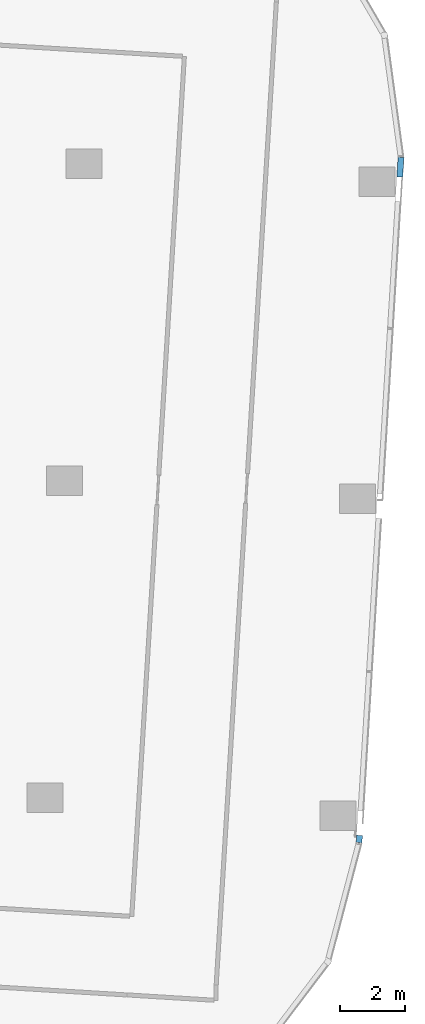
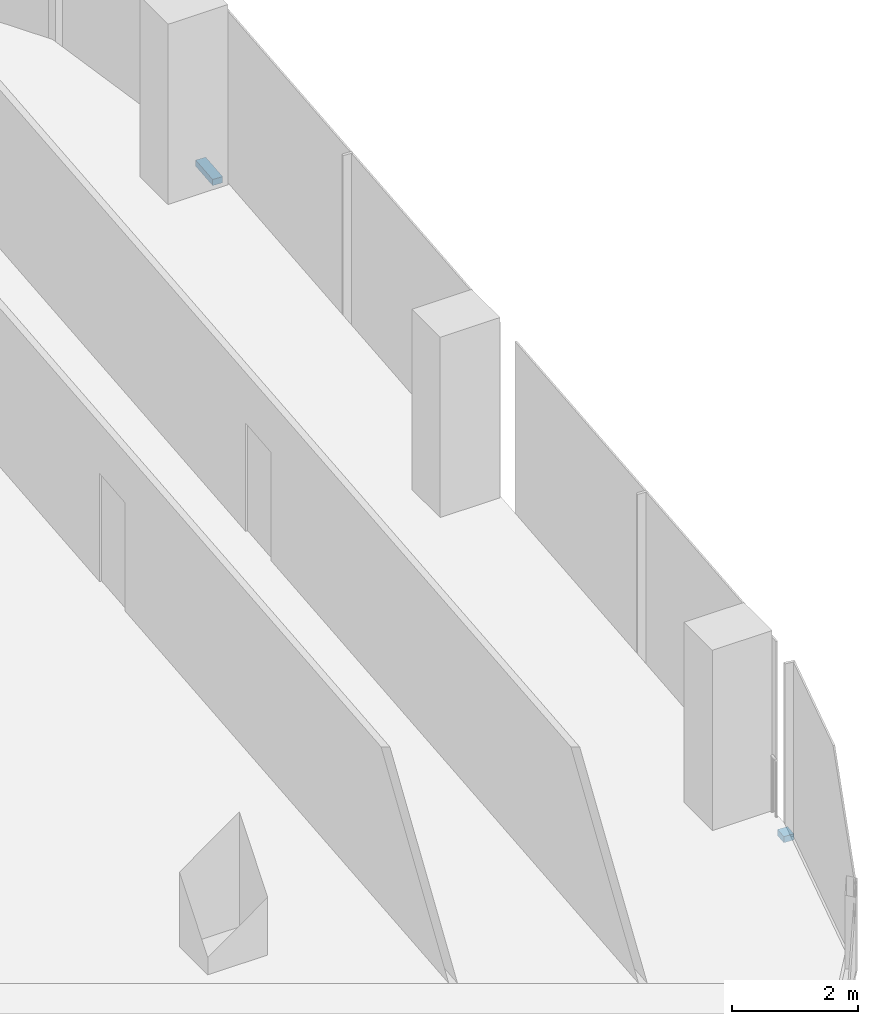
# One storey, part 17 of 32: 2 members, 1 element without a shape of its own.
"""IFC4 building model written with IfcOpenShell, lengths in metres."""

from ifc_helpers import new_model, si_unit, direction, frame, origin, origin_2d, place, context, subcontext, project, spatial, rectangle, extrude, material, material_profile, profile_set, type_object, element, aggregate, save


model = new_model("IFC4")

# Units and contexts
model_context = context("Model", 3, precision=1e-05, world=origin(), true_north=direction((0.0, 1.0)))
body_context = subcontext(model_context, "Body", "Model", "MODEL_VIEW")
ifc_project = project(units=[si_unit("LENGTHUNIT", "METRE"), si_unit("AREAUNIT", "SQUARE_METRE"), si_unit("VOLUMEUNIT", "CUBIC_METRE"), si_unit("PLANEANGLEUNIT", "RADIAN"), si_unit("MASSUNIT", "GRAM", prefix="KILO")], contexts=[model_context])

# Site, building, storey
site_placement = place(None, origin())
site = spatial("IfcSite", under=ifc_project, at=site_placement, CompositionType="ELEMENT")
building_placement = place(site_placement, origin())
building = spatial("IfcBuilding", under=site, at=building_placement, Name="Orlundy Tower", CompositionType="ELEMENT")
storey_placement = place(building_placement, frame((0.0, 0.0, 152.60009765625)))
storey = spatial("IfcBuildingStorey", under=building, at=storey_placement, Name="L39", CompositionType="ELEMENT", Elevation=152.60009765625)

# Curtain wall, members
ifc_material_1 = material(Name="Aluminium bronze anodised", Category="aluminium")
curtain_wall_type = type_object("IfcCurtainWallType", Name="CW1 wall", PredefinedType="NOTDEFINED", material=ifc_material_1)
curtain_wall_placement = place(storey_placement, origin())
curtain_wall = element("IfcCurtainWall", 1, at=curtain_wall_placement, inside=storey, type_object=curtain_wall_type, Name="CW1 run 023", PredefinedType="NOTDEFINED")
ifc_material_2 = material(Name="Aluminium bronze anodised", Category="aluminium")
ifc_material_profile = material_profile(ifc_material_2, rectangle(XDim=0.179931640625, YDim=0.1201171875, at=origin_2d()), Name="CW1 transom 180x120")
ifc_profile_set = profile_set([ifc_material_profile], Name="Aluminium bronze anodised")
member_type = type_object("IfcMemberType", Name="CW1 transom 180x120", PredefinedType="USERDEFINED", material=ifc_profile_set)
member_1_placement = place(storey_placement, frame((61.116943359375, 6.765380859375, -0.340087890625), z_axis=(-0.061068948962, -0.998133549918, 0.0), x_axis=(0.998133549918, -0.061068948962, 0.0)))
member_1 = element("IfcMember", 2, at=member_1_placement, type_object=member_type, Name="CW1 transom", ObjectType="TRANSOM", PredefinedType="USERDEFINED", context=body_context, shape_type="SweptSolid", body=[
    extrude(rectangle(XDim=0.179931640625, YDim=0.1201171875, at=origin_2d()), origin(), (0.0, 0.0, 1.0), 0.603759765625),
])
member_2_placement = place(storey_placement, frame((59.8505859375, -13.93896484375, -0.340087890625), z_axis=(-0.060822981328, -0.998148568572, 0.0), x_axis=(0.998148568572, -0.060822981328, 0.0)))
member_2 = element("IfcMember", 3, at=member_2_placement, type_object=member_type, Name="CW1 transom", ObjectType="TRANSOM", PredefinedType="USERDEFINED", context=body_context, shape_type="SweptSolid", body=[
    extrude(rectangle(XDim=0.179931640625, YDim=0.1201171875, at=origin_2d()), origin(), (0.0, 0.0, 1.0), 0.224853515625),
])
aggregate(curtain_wall, [member_1, member_2])

save(model, "model.ifc")
